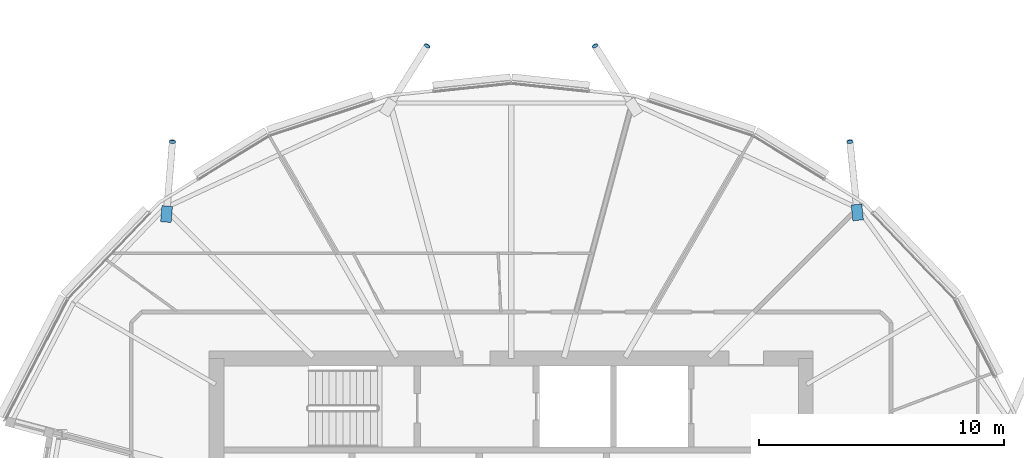
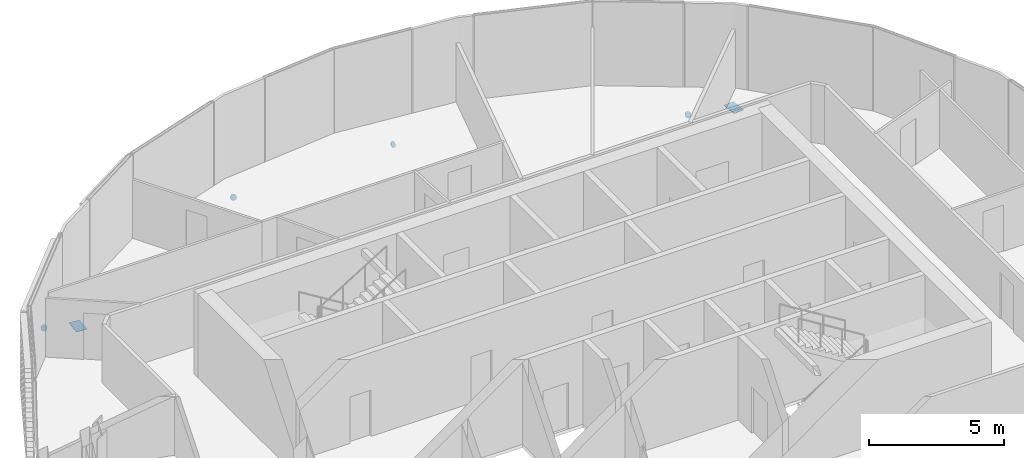
# One storey, part 27 of 36: 6 discrete accessories.
"""IFC4 building model written with IfcOpenShell, lengths in metres."""

from ifc_helpers import new_model, si_unit, direction, frame, origin, origin_2d, place, context, subcontext, project, spatial, polyline, rectangle, circle, outline, extrude, material, material_profile, profile_set, type_object, element, save


model = new_model("IFC4")

# Units and contexts
model_context = context("Model", 3, precision=1e-05, world=origin(), true_north=direction((0.0, 1.0)))
body_context = subcontext(model_context, "Body", "Model", "MODEL_VIEW")
ifc_project = project(units=[si_unit("LENGTHUNIT", "METRE"), si_unit("AREAUNIT", "SQUARE_METRE"), si_unit("VOLUMEUNIT", "CUBIC_METRE"), si_unit("PLANEANGLEUNIT", "RADIAN"), si_unit("MASSUNIT", "GRAM", prefix="KILO")], contexts=[model_context])

# Site, building, storey
site_placement = place(None, origin())
site = spatial("IfcSite", under=ifc_project, at=site_placement, CompositionType="ELEMENT")
building_placement = place(site_placement, origin())
building = spatial("IfcBuilding", under=site, at=building_placement, Name="Rimbun Link Towers", CompositionType="ELEMENT")
storey_placement = place(building_placement, frame((0.0, 0.0, 200.699951171875)))
storey = spatial("IfcBuildingStorey", under=building, at=storey_placement, Name="L49", CompositionType="ELEMENT", Elevation=200.699951171875)

# Discrete accessories
ifc_material_1 = material(Name="Steel S355J2H", Category="steel")
ifc_material_profile_1 = material_profile(ifc_material_1, circle(Radius=0.1240234375, at=origin_2d()), Name="PL D248")
ifc_profile_set_1 = profile_set([ifc_material_profile_1], Name="Steel S355J2H")
discrete_accessory_type_1 = type_object("IfcDiscreteAccessoryType", Name="Link foot sealing plate D248X20", PredefinedType="BRACKET", material=ifc_profile_set_1)
for number, where, z_axis, x_axis, name in (
    (1, (-17.945068359375, 16.82568359375, -2.564697265625), (-0.084956211157, 0.82528890838, -0.558283673316), (-0.99474329889, -0.102400045474, 0.0), "Link foot sealing plate T1 L49 03"),
    (2, (-28.324951171875, 20.7333984375, -2.650146484375), (-0.452060681249, 0.720853518748, -0.525367818749), (-0.847190627169, -0.531289037377, 0.0), "Link foot sealing plate T1 L49 05"),
    (3, (-35.175048828125, 20.7333984375, -2.650146484375), (0.452060681249, 0.720853518748, -0.525367818749), (-0.847190627169, 0.531289037377, 0.0), "Link foot sealing plate T1 L49 07"),
    (4, (-45.548095703125, 16.8232421875, -2.5673828125), (0.073383858753, 0.831683732536, -0.550378940649), (-0.996129850025, 0.087893810296, 0.0), "Link foot sealing plate T1 L49 09"),
):
    element("IfcDiscreteAccessory", number, at=place(storey_placement, frame(where, z_axis=z_axis, x_axis=x_axis)), inside=storey, type_object=discrete_accessory_type_1, Name=name, PredefinedType="BRACKET", context=body_context, shape_type="SweptSolid", body=[
        extrude(circle(Radius=0.1240234375, at=origin_2d()), origin(), (0.0, 0.0, 1.0), 0.02001953125),
    ])
ifc_material_2 = material(Name="Steel S355J2H", Category="steel")
ifc_material_profile_2 = material_profile(ifc_material_2, rectangle(XDim=0.43310546875, YDim=0.43310546875, at=origin_2d()), Name="PL 433x433")
ifc_profile_set_2 = profile_set([ifc_material_profile_2], Name="Steel S355J2H")
discrete_accessory_type_2 = type_object("IfcDiscreteAccessoryType", Name="Link head end plate 433X20", PredefinedType="BRACKET", material=ifc_profile_set_2)
discrete_accessory_1_placement = place(storey_placement, frame((0.0, 0.0, -0.623291015625)))
element("IfcDiscreteAccessory", 5, at=discrete_accessory_1_placement, inside=storey, type_object=discrete_accessory_type_2, Name="Link head end plate T1 L49 03", PredefinedType="BRACKET", context=body_context, shape_type="SweptSolid", body=[
    extrude(outline(polyline([(-17.39501953125, 13.65283203125), (-17.462646484375, 14.298583984375), (-17.893310546875, 14.25341796875), (-17.82568359375, 13.607666015625), (-17.39501953125, 13.65283203125)])), origin(), (0.0, 0.0, 1.0), 0.02001953125),
])
discrete_accessory_2_placement = place(storey_placement, frame((0.0, 0.0, -0.623291015625)))
element("IfcDiscreteAccessory", 6, at=discrete_accessory_2_placement, inside=storey, type_object=discrete_accessory_type_2, Name="Link head end plate T1 L49 09", PredefinedType="BRACKET", context=body_context, shape_type="SweptSolid", body=[
    extrude(outline(polyline([(-45.600341796875, 13.541015625), (-45.546630859375, 14.194580078125), (-45.978271484375, 14.22998046875), (-46.031982421875, 13.576416015625), (-45.600341796875, 13.541015625)])), origin(), (0.0, 0.0, 1.0), 0.02001953125),
])

save(model, "model.ifc")
